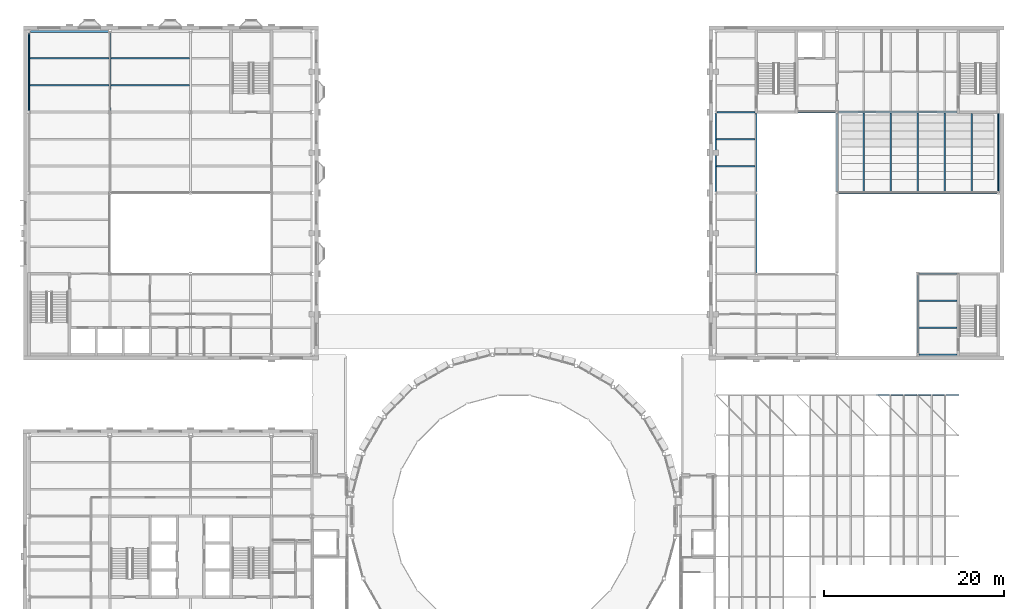
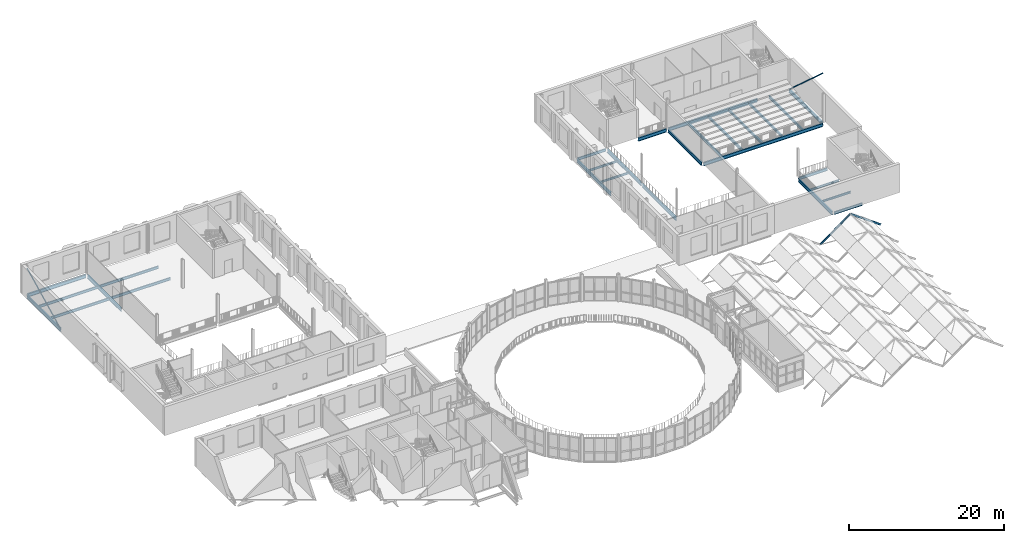
# One storey, part 25 of 74: 30 beams, 2 members.
"""IFC4 building model written with IfcOpenShell, lengths in metres."""

from ifc_helpers import new_model, si_unit, direction, frame, origin, origin_2d, place, context, subcontext, project, spatial, hollow_circle, i_section, extrude, material, material_profile, profile_set, type_object, element, save


model = new_model("IFC4")

# Units and contexts
model_context = context("Model", 3, precision=1e-05, world=origin(), true_north=direction((0.0, 1.0)))
body_context = subcontext(model_context, "Body", "Model", "MODEL_VIEW")
ifc_project = project(units=[si_unit("LENGTHUNIT", "METRE"), si_unit("AREAUNIT", "SQUARE_METRE"), si_unit("VOLUMEUNIT", "CUBIC_METRE"), si_unit("PLANEANGLEUNIT", "RADIAN"), si_unit("MASSUNIT", "GRAM", prefix="KILO")], contexts=[model_context])

# Site, building, storey
site_placement = place(None, origin())
site = spatial("IfcSite", under=ifc_project, at=site_placement, CompositionType="ELEMENT")
building_placement = place(site_placement, origin())
building = spatial("IfcBuilding", under=site, at=building_placement, Name="Hortulan Conservatory and Botanical Research Centre", CompositionType="ELEMENT")
storey_placement = place(building_placement, frame((0.0, 0.0, 6.0)))
storey = spatial("IfcBuildingStorey", under=building, at=storey_placement, Name="L01", CompositionType="ELEMENT", Elevation=6.0)

# Members
ifc_material_1 = material(Name="Steel Grade C350L0 (350 MPa, AS/NZS 1163)", Category="steel")
ifc_material_profile_1 = material_profile(ifc_material_1, hollow_circle(Radius=0.084228515625, WallThickness=0.00634765625, at=origin_2d()), Name="168.3x6.4CHS")
ifc_profile_set_1 = profile_set([ifc_material_profile_1], Name="Steel Grade C350L0 (350 MPa, AS/NZS 1163)")
member_type = type_object("IfcMemberType", Name="Brace 168.3x6.4CHS", PredefinedType="BRACE", material=ifc_profile_set_1)
member_1_placement = place(storey_placement, frame((0.0, 63.160400390625, -0.313720703125), z_axis=(0.0, 0.894427191, 0.4472135955), x_axis=(-1.0, 0.0, 0.0)))
element("IfcMember", 1, at=member_1_placement, inside=storey, type_object=member_type, Name="168.3x6.4CHS brace", PredefinedType="BRACE", context=body_context, shape_type="SweptSolid", body=[
    extrude(hollow_circle(Radius=0.084228515625, WallThickness=0.00634765625, at=origin_2d()), origin(), (0.0, 0.0, 1.0), 9.70361328125),
])
member_2_placement = place(storey_placement, frame((108.0, 62.800048828125, -0.214111328125), z_axis=(0.0, -0.743550186556, 0.668680132854), x_axis=(1.0, 0.0, 0.0)))
element("IfcMember", 2, at=member_2_placement, inside=storey, type_object=member_type, Name="168.3x6.4CHS brace", PredefinedType="BRACE", context=body_context, shape_type="SweptSolid", body=[
    extrude(hollow_circle(Radius=0.084228515625, WallThickness=0.00634765625, at=origin_2d()), origin(), (0.0, 0.0, 1.0), 11.566162109375),
])

# Beams
ifc_material_2 = material(Name="Steel Grade 300PLUS (AS/NZS 3679.1, 280 MPa minimum yield)", Category="steel")
ifc_material_profile_2 = material_profile(ifc_material_2, i_section(OverallWidth=0.14599609375, OverallDepth=0.251953125, WebThickness=0.006103515625, FlangeThickness=0.008544921875, FilletRadius=0.0087890625, at=origin_2d()), Name="250UB31.4")
ifc_profile_set_2 = profile_set([ifc_material_profile_2], Name="Steel Grade 300PLUS (AS/NZS 3679.1, 280 MPa minimum yield)")
beam_type_1 = type_object("IfcBeamType", Name="Climate House Rafter 250UB31.4", PredefinedType="BEAM", material=ifc_profile_set_2)
for number, where, z_axis, x_axis, name in (
    (3, (94.5, 31.5, -0.896484375), (0.811430788987, 0.0, 0.584448521842), (0.0, 1.0, 0.0), "Propagation and Quarantine Glasshouse rafter west frame 8"),
    (4, (103.5, 31.5, -0.896484375), (-0.811430788987, 0.0, 0.584448521842), (0.0, -1.0, 0.0), "Propagation and Quarantine Glasshouse rafter east frame 8"),
):
    element("IfcBeam", number, at=place(storey_placement, frame(where, z_axis=z_axis, x_axis=x_axis)), inside=storey, type_object=beam_type_1, Name=name, PredefinedType="BEAM", context=body_context, shape_type="SweptSolid", body=[
        extrude(i_section(OverallWidth=0.14599609375, OverallDepth=0.251953125, WebThickness=0.006103515625, FlangeThickness=0.008544921875, FilletRadius=0.0087890625, at=origin_2d()), origin(), (0.0, 0.0, 1.0), 5.545654296875),
    ])
ifc_material_profile_3 = material_profile(ifc_material_2, i_section(OverallWidth=0.177978515625, OverallDepth=0.403076171875, WebThickness=0.007568359375, FlangeThickness=0.010986328125, FilletRadius=0.011474609375, at=origin_2d()), Name="410UB53.7")
ifc_profile_set_3 = profile_set([ifc_material_profile_3], Name="Steel Grade 300PLUS (AS/NZS 3679.1, 280 MPa minimum yield)")
beam_type_2 = type_object("IfcBeamType", Name="Primary Beam 410UB53.7", PredefinedType="BEAM", material=ifc_profile_set_3)
beam_1_placement = place(storey_placement, frame((76.6279296875, 63.0, -0.33154296875), z_axis=(1.0, 0.0, 0.0), x_axis=(0.0, 1.0, 0.0)))
element("IfcBeam", 5, at=beam_1_placement, inside=storey, type_object=beam_type_2, Name="410UB53.7 girder", PredefinedType="BEAM", context=body_context, shape_type="SweptSolid", body=[
    extrude(i_section(OverallWidth=0.177978515625, OverallDepth=0.403076171875, WebThickness=0.007568359375, FlangeThickness=0.010986328125, FilletRadius=0.011474609375, at=origin_2d()), origin(), (0.0, 0.0, 1.0), 4.22216796875),
])
for number, where, z_axis, x_axis, name in (
    (6, (99.154541015625, 36.0, -0.33154296875), (1.0, 0.0, 0.0), (0.0, 1.0, 0.0), "410UB53.7 girder"),
    (7, (99.154541015625, 45.0, -0.33154296875), (1.0, 0.0, 0.0), (0.0, 1.0, 0.0), "410UB53.7 girder"),
):
    element("IfcBeam", number, at=place(storey_placement, frame(where, z_axis=z_axis, x_axis=x_axis)), inside=storey, type_object=beam_type_2, Name=name, PredefinedType="BEAM", context=body_context, shape_type="SweptSolid", body=[
        extrude(i_section(OverallWidth=0.177978515625, OverallDepth=0.403076171875, WebThickness=0.007568359375, FlangeThickness=0.010986328125, FilletRadius=0.011474609375, at=origin_2d()), origin(), (0.0, 0.0, 1.0), 4.195556640625),
    ])
ifc_material_profile_4 = material_profile(ifc_material_2, i_section(OverallWidth=0.208984375, OverallDepth=0.528076171875, WebThickness=0.009521484375, FlangeThickness=0.01318359375, FilletRadius=0.013916015625, at=origin_2d()), Name="530UB82.0")
ifc_profile_set_4 = profile_set([ifc_material_profile_4], Name="Steel Grade 300PLUS (AS/NZS 3679.1, 280 MPa minimum yield)")
beam_type_3 = type_object("IfcBeamType", Name="Primary Beam 530UB82.0", PredefinedType="BEAM", material=ifc_profile_set_4)
beam_2_placement = place(storey_placement, frame((0.0, 63.160400390625, -0.39404296875), z_axis=(0.0, 1.0, 0.0), x_axis=(-1.0, 0.0, 0.0)))
element("IfcBeam", 8, at=beam_2_placement, inside=storey, type_object=beam_type_3, Name="530UB82.0 girder", PredefinedType="BEAM", context=body_context, shape_type="SweptSolid", body=[
    extrude(i_section(OverallWidth=0.208984375, OverallDepth=0.528076171875, WebThickness=0.009521484375, FlangeThickness=0.01318359375, FilletRadius=0.013916015625, at=origin_2d()), origin(), (0.0, 0.0, 1.0), 8.67919921875),
])
beam_3_placement = place(storey_placement, frame((0.154541015625, 72.0, -0.39404296875), z_axis=(1.0, 0.0, 0.0), x_axis=(0.0, 1.0, 0.0)))
element("IfcBeam", 9, at=beam_3_placement, inside=storey, type_object=beam_type_3, Name="530UB82.0 girder", PredefinedType="BEAM", context=body_context, shape_type="SweptSolid", body=[
    extrude(i_section(OverallWidth=0.208984375, OverallDepth=0.528076171875, WebThickness=0.009521484375, FlangeThickness=0.01318359375, FilletRadius=0.013916015625, at=origin_2d()), origin(), (0.0, 0.0, 1.0), 8.68505859375),
])
for number, where, z_axis, x_axis, name in (
    (10, (76.5, 54.1298828125, -0.39404296875), (0.0, 1.0, 0.0), (-1.0, 0.0, 0.0), "530UB82.0 girder"),
    (11, (81.0, 45.1298828125, -0.39404296875), (0.0, 1.0, 0.0), (-1.0, 0.0, 0.0), "530UB82.0 girder"),
):
    element("IfcBeam", number, at=place(storey_placement, frame(where, z_axis=z_axis, x_axis=x_axis)), inside=storey, type_object=beam_type_3, Name=name, PredefinedType="BEAM", context=body_context, shape_type="SweptSolid", body=[
        extrude(i_section(OverallWidth=0.208984375, OverallDepth=0.528076171875, WebThickness=0.009521484375, FlangeThickness=0.01318359375, FilletRadius=0.013916015625, at=origin_2d()), origin(), (0.0, 0.0, 1.0), 8.740234375),
    ])
beam_4_placement = place(storey_placement, frame((81.0, 54.1298828125, -0.39404296875), z_axis=(0.0, 1.0, 0.0), x_axis=(-1.0, 0.0, 0.0)))
element("IfcBeam", 12, at=beam_4_placement, inside=storey, type_object=beam_type_3, Name="530UB82.0 girder", PredefinedType="BEAM", context=body_context, shape_type="SweptSolid", body=[
    extrude(i_section(OverallWidth=0.208984375, OverallDepth=0.528076171875, WebThickness=0.009521484375, FlangeThickness=0.01318359375, FilletRadius=0.013916015625, at=origin_2d()), origin(), (0.0, 0.0, 1.0), 8.72021484375),
])
beam_5_placement = place(storey_placement, frame((85.64990234375, 63.0, -0.39404296875), z_axis=(1.0, 0.0, 0.0), x_axis=(0.0, 1.0, 0.0)))
element("IfcBeam", 13, at=beam_5_placement, inside=storey, type_object=beam_type_3, Name="530UB82.0 girder", PredefinedType="BEAM", context=body_context, shape_type="SweptSolid", body=[
    extrude(i_section(OverallWidth=0.208984375, OverallDepth=0.528076171875, WebThickness=0.009521484375, FlangeThickness=0.01318359375, FilletRadius=0.013916015625, at=origin_2d()), origin(), (0.0, 0.0, 1.0), 4.195556640625),
])
beam_6_placement = place(storey_placement, frame((90.0, 54.160400390625, -0.39404296875), z_axis=(0.0, 1.0, 0.0), x_axis=(-1.0, 0.0, 0.0)))
element("IfcBeam", 14, at=beam_6_placement, inside=storey, type_object=beam_type_3, Name="530UB82.0 girder", PredefinedType="BEAM", context=body_context, shape_type="SweptSolid", body=[
    extrude(i_section(OverallWidth=0.208984375, OverallDepth=0.528076171875, WebThickness=0.009521484375, FlangeThickness=0.01318359375, FilletRadius=0.013916015625, at=origin_2d()), origin(), (0.0, 0.0, 1.0), 8.67919921875),
])
beam_7_placement = place(storey_placement, frame((90.154541015625, 54.0, -0.39404296875), z_axis=(1.0, 0.0, 0.0), x_axis=(0.0, 1.0, 0.0)))
element("IfcBeam", 15, at=beam_7_placement, inside=storey, type_object=beam_type_3, Name="530UB82.0 girder", PredefinedType="BEAM", context=body_context, shape_type="SweptSolid", body=[
    extrude(i_section(OverallWidth=0.208984375, OverallDepth=0.528076171875, WebThickness=0.009521484375, FlangeThickness=0.01318359375, FilletRadius=0.013916015625, at=origin_2d()), origin(), (0.0, 0.0, 1.0), 17.69091796875),
])
beam_8_placement = place(storey_placement, frame((108.0, 54.160400390625, -0.39404296875), z_axis=(0.0, 1.0, 0.0), x_axis=(-1.0, 0.0, 0.0)))
element("IfcBeam", 16, at=beam_8_placement, inside=storey, type_object=beam_type_3, Name="530UB82.0 girder", PredefinedType="BEAM", context=body_context, shape_type="SweptSolid", body=[
    extrude(i_section(OverallWidth=0.208984375, OverallDepth=0.528076171875, WebThickness=0.009521484375, FlangeThickness=0.01318359375, FilletRadius=0.013916015625, at=origin_2d()), origin(), (0.0, 0.0, 1.0), 8.689697265625),
])
ifc_material_profile_5 = material_profile(ifc_material_2, i_section(OverallWidth=0.208984375, OverallDepth=0.532958984375, WebThickness=0.01025390625, FlangeThickness=0.015625, FilletRadius=0.013916015625, at=origin_2d()), Name="530UB92.4")
ifc_profile_set_5 = profile_set([ifc_material_profile_5], Name="Steel Grade 300PLUS (AS/NZS 3679.1, 280 MPa minimum yield)")
beam_type_4 = type_object("IfcBeamType", Name="Primary Beam 530UB92.4", PredefinedType="BEAM", material=ifc_profile_set_5)
beam_9_placement = place(storey_placement, frame((9.0, 63.160400390625, -0.396484375), z_axis=(0.0, 1.0, 0.0), x_axis=(-1.0, 0.0, 0.0)))
element("IfcBeam", 17, at=beam_9_placement, inside=storey, type_object=beam_type_4, Name="530UB92.4 girder", PredefinedType="BEAM", context=body_context, shape_type="SweptSolid", body=[
    extrude(i_section(OverallWidth=0.208984375, OverallDepth=0.532958984375, WebThickness=0.01025390625, FlangeThickness=0.015625, FilletRadius=0.013916015625, at=origin_2d()), origin(), (0.0, 0.0, 1.0), 8.68505859375),
])
beam_10_placement = place(storey_placement, frame((90.154541015625, 63.0, -0.396484375), z_axis=(1.0, 0.0, 0.0), x_axis=(0.0, 1.0, 0.0)))
element("IfcBeam", 18, at=beam_10_placement, inside=storey, type_object=beam_type_4, Name="530UB92.4 girder", PredefinedType="BEAM", context=body_context, shape_type="SweptSolid", body=[
    extrude(i_section(OverallWidth=0.208984375, OverallDepth=0.532958984375, WebThickness=0.01025390625, FlangeThickness=0.015625, FilletRadius=0.013916015625, at=origin_2d()), origin(), (0.0, 0.0, 1.0), 13.195556640625),
])
beam_11_placement = place(storey_placement, frame((99.0, 36.160400390625, -0.396484375), z_axis=(0.0, 1.0, 0.0), x_axis=(-1.0, 0.0, 0.0)))
element("IfcBeam", 19, at=beam_11_placement, inside=storey, type_object=beam_type_4, Name="530UB92.4 girder", PredefinedType="BEAM", context=body_context, shape_type="SweptSolid", body=[
    extrude(i_section(OverallWidth=0.208984375, OverallDepth=0.532958984375, WebThickness=0.01025390625, FlangeThickness=0.015625, FilletRadius=0.013916015625, at=origin_2d()), origin(), (0.0, 0.0, 1.0), 8.67919921875),
])
ifc_material_profile_6 = material_profile(ifc_material_2, i_section(OverallWidth=0.1650390625, OverallDepth=0.303955078125, WebThickness=0.006103515625, FlangeThickness=0.01025390625, FilletRadius=0.011474609375, at=origin_2d()), Name="310UB40.4")
ifc_profile_set_6 = profile_set([ifc_material_profile_6], Name="Steel Grade 300PLUS (AS/NZS 3679.1, 280 MPa minimum yield)")
beam_type_5 = type_object("IfcBeamType", Name="Secondary Beam 310UB40.4", PredefinedType="JOIST", material=ifc_profile_set_6)
for number, where, z_axis, x_axis, name in (
    (20, (99.1044921875, 39.0, -0.281982421875), (1.0, 0.0, 0.0), (0.0, 1.0, 0.0), "310UB40.4 secondary beam"),
    (21, (99.1044921875, 42.0, -0.281982421875), (1.0, 0.0, 0.0), (0.0, 1.0, 0.0), "310UB40.4 secondary beam"),
):
    element("IfcBeam", number, at=place(storey_placement, frame(where, z_axis=z_axis, x_axis=x_axis)), inside=storey, type_object=beam_type_5, Name=name, PredefinedType="JOIST", context=body_context, shape_type="SweptSolid", body=[
        extrude(i_section(OverallWidth=0.1650390625, OverallDepth=0.303955078125, WebThickness=0.006103515625, FlangeThickness=0.01025390625, FilletRadius=0.011474609375, at=origin_2d()), origin(), (0.0, 0.0, 1.0), 4.24560546875),
    ])
for number, where, z_axis, x_axis, name in (
    (22, (76.6044921875, 57.0, -0.281982421875), (1.0, 0.0, 0.0), (0.0, 1.0, 0.0), "310UB40.4 secondary beam"),
    (23, (76.6044921875, 60.0, -0.281982421875), (1.0, 0.0, 0.0), (0.0, 1.0, 0.0), "310UB40.4 secondary beam"),
):
    element("IfcBeam", number, at=place(storey_placement, frame(where, z_axis=z_axis, x_axis=x_axis)), inside=storey, type_object=beam_type_5, Name=name, PredefinedType="JOIST", context=body_context, shape_type="SweptSolid", body=[
        extrude(i_section(OverallWidth=0.1650390625, OverallDepth=0.303955078125, WebThickness=0.006103515625, FlangeThickness=0.01025390625, FilletRadius=0.011474609375, at=origin_2d()), origin(), (0.0, 0.0, 1.0), 4.291015625),
    ])
ifc_material_profile_7 = material_profile(ifc_material_2, i_section(OverallWidth=0.177978515625, OverallDepth=0.406005859375, WebThickness=0.0078125, FlangeThickness=0.0126953125, FilletRadius=0.011474609375, at=origin_2d()), Name="410UB59.7")
ifc_profile_set_7 = profile_set([ifc_material_profile_7], Name="Steel Grade 300PLUS (AS/NZS 3679.1, 280 MPa minimum yield)")
beam_type_6 = type_object("IfcBeamType", Name="Secondary Beam 410UB59.7", PredefinedType="JOIST", material=ifc_profile_set_7)
for number, where, z_axis, x_axis, name in (
    (24, (0.1044921875, 66.0, -0.3330078125), (1.0, 0.0, 0.0), (0.0, 1.0, 0.0), "410UB59.7 secondary beam"),
    (25, (0.1044921875, 69.0, -0.3330078125), (1.0, 0.0, 0.0), (0.0, 1.0, 0.0), "410UB59.7 secondary beam"),
    (26, (9.1044921875, 66.0, -0.3330078125), (1.0, 0.0, 0.0), (0.0, 1.0, 0.0), "410UB59.7 secondary beam"),
    (27, (9.1044921875, 69.0, -0.3330078125), (1.0, 0.0, 0.0), (0.0, 1.0, 0.0), "410UB59.7 secondary beam"),
    (28, (93.0, 54.1044921875, -0.3330078125), (0.0, 1.0, 0.0), (-1.0, 0.0, 0.0), "410UB59.7 secondary beam"),
    (29, (96.0, 54.1044921875, -0.3330078125), (0.0, 1.0, 0.0), (-1.0, 0.0, 0.0), "410UB59.7 secondary beam"),
    (30, (99.0, 54.1044921875, -0.3330078125), (0.0, 1.0, 0.0), (-1.0, 0.0, 0.0), "410UB59.7 secondary beam"),
    (31, (102.0, 54.1044921875, -0.3330078125), (0.0, 1.0, 0.0), (-1.0, 0.0, 0.0), "410UB59.7 secondary beam"),
):
    element("IfcBeam", number, at=place(storey_placement, frame(where, z_axis=z_axis, x_axis=x_axis)), inside=storey, type_object=beam_type_6, Name=name, PredefinedType="JOIST", context=body_context, shape_type="SweptSolid", body=[
        extrude(i_section(OverallWidth=0.177978515625, OverallDepth=0.406005859375, WebThickness=0.0078125, FlangeThickness=0.0126953125, FilletRadius=0.011474609375, at=origin_2d()), origin(), (0.0, 0.0, 1.0), 8.791015625),
    ])
beam_12_placement = place(storey_placement, frame((105.0, 54.1044921875, -0.3330078125), z_axis=(0.0, 1.0, 0.0), x_axis=(-1.0, 0.0, 0.0)))
element("IfcBeam", 32, at=beam_12_placement, inside=storey, type_object=beam_type_6, Name="410UB59.7 secondary beam", PredefinedType="JOIST", context=body_context, shape_type="SweptSolid", body=[
    extrude(i_section(OverallWidth=0.177978515625, OverallDepth=0.406005859375, WebThickness=0.0078125, FlangeThickness=0.0126953125, FilletRadius=0.011474609375, at=origin_2d()), origin(), (0.0, 0.0, 1.0), 8.74560546875),
])

save(model, "model.ifc")
